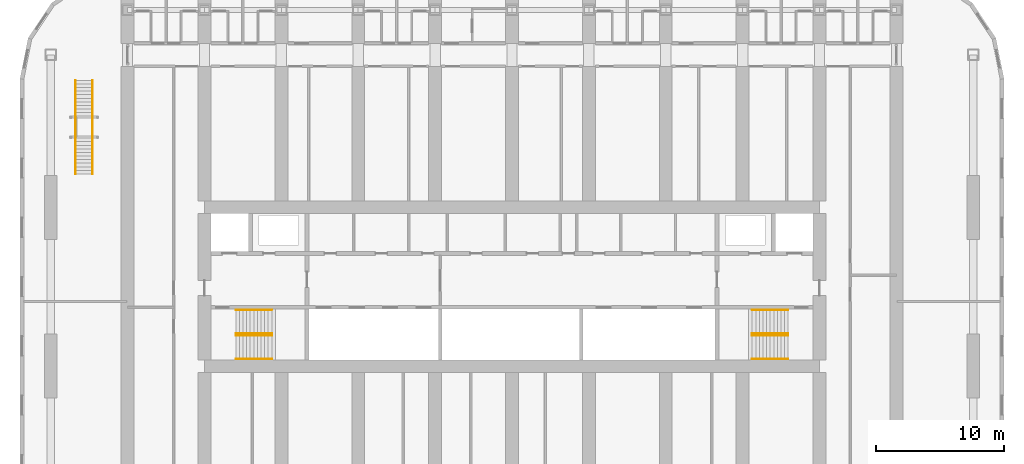
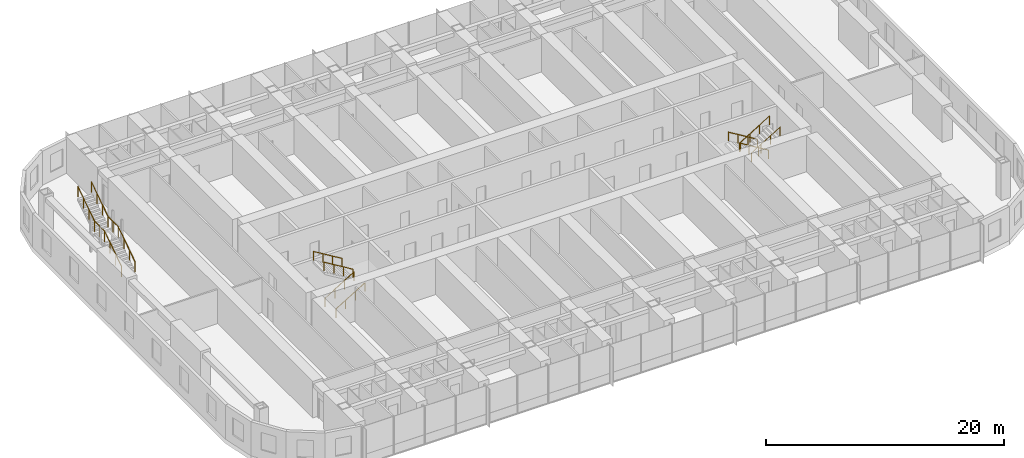
# One storey, part 28 of 28: 10 railings.
"""IFC4 building model written with IfcOpenShell, lengths in metres."""

from ifc_helpers import new_model, si_unit, direction, frame, origin, origin_2d, place, context, subcontext, project, spatial, circle, extrude, material, type_object, element, save


model = new_model("IFC4")

# Units and contexts
model_context = context("Model", 3, precision=1e-05, world=origin(), true_north=direction((0.0, 1.0)))
body_context = subcontext(model_context, "Body", "Model", "MODEL_VIEW")
ifc_project = project(units=[si_unit("LENGTHUNIT", "METRE"), si_unit("AREAUNIT", "SQUARE_METRE"), si_unit("VOLUMEUNIT", "CUBIC_METRE"), si_unit("PLANEANGLEUNIT", "RADIAN"), si_unit("MASSUNIT", "GRAM", prefix="KILO")], contexts=[model_context])

# Site, building, storey
site_placement = place(None, origin())
site = spatial("IfcSite", under=ifc_project, at=site_placement, CompositionType="ELEMENT")
building_placement = place(site_placement, origin())
building = spatial("IfcBuilding", under=site, at=building_placement, Name="Orbita Commons", CompositionType="ELEMENT")
storey_placement = place(building_placement, frame((0.0, 0.0, 23.949951171875)))
storey = spatial("IfcBuildingStorey", under=building, at=storey_placement, Name="L05", CompositionType="ELEMENT", Elevation=23.949951171875)

# Railings
ifc_material_1 = material(Name="Laminated glass, steel handrail", Category="steel")
railing_type_1 = type_object("IfcRailingType", Name="Feature stair balustrade, glass on steel stringer 1100", PredefinedType="BALUSTRADE", material=ifc_material_1)
for number, where, name in (
    (1, (7.93994140625, 40.800048828125, 0.0), "Neighbourhood stair L05 to L06 balustrade L"),
    (2, (9.260009765625, 40.800048828125, 0.0), "Neighbourhood stair L05 to L06 balustrade R"),
):
    element("IfcRailing", number, at=place(storey_placement, frame(where)), inside=storey, type_object=railing_type_1, Name=name, PredefinedType="BALUSTRADE", context=body_context, shape_type="SweptSolid", body=[
        extrude(circle(Radius=0.02490234375, at=origin_2d()), frame((0.0, 0.0, 1.0751953125), z_axis=(0.0, 0.830911662861, 0.55640435703), x_axis=(-1.0, 0.0, 0.0)), (0.0, 0.0, 1.0), 3.369873046875),
        extrude(circle(Radius=0.02490234375, at=origin_2d()), frame((0.0, 2.800048828125, 2.9501953125), z_axis=(0.0, 1.0, 0.0), x_axis=(-1.0, 0.0, 0.0)), (0.0, 0.0, 1.0), 1.7099609375),
        extrude(circle(Radius=0.02490234375, at=origin_2d()), frame((0.0, 4.510009765625, 2.9501953125), z_axis=(0.0, 0.830911662861, 0.55640435703), x_axis=(-1.0, 0.0, 0.0)), (0.0, 0.0, 1.0), 3.369873046875),
        extrude(circle(Radius=0.02001953125, at=origin_2d()), origin(), (0.0, 0.0, 1.0), 1.050048828125),
        extrude(circle(Radius=0.02001953125, at=origin_2d()), frame((0.0, 0.933349609375, 0.625)), (0.0, 0.0, 1.0), 1.050048828125),
        extrude(circle(Radius=0.02001953125, at=origin_2d()), frame((0.0, 1.86669921875, 1.25)), (0.0, 0.0, 1.0), 1.050048828125),
        extrude(circle(Radius=0.02001953125, at=origin_2d()), frame((0.0, 2.800048828125, 1.875)), (0.0, 0.0, 1.0), 1.050048828125),
        extrude(circle(Radius=0.02001953125, at=origin_2d()), frame((0.0, 3.655029296875, 1.875)), (0.0, 0.0, 1.0), 1.050048828125),
        extrude(circle(Radius=0.02001953125, at=origin_2d()), frame((0.0, 4.510009765625, 1.875)), (0.0, 0.0, 1.0), 1.050048828125),
        extrude(circle(Radius=0.02001953125, at=origin_2d()), frame((0.0, 5.443359375, 2.5)), (0.0, 0.0, 1.0), 1.050048828125),
        extrude(circle(Radius=0.02001953125, at=origin_2d()), frame((0.0, 6.376708984375, 3.125)), (0.0, 0.0, 1.0), 1.050048828125),
        extrude(circle(Radius=0.02001953125, at=origin_2d()), frame((0.0, 7.31005859375, 3.75)), (0.0, 0.0, 1.0), 1.050048828125),
    ])
ifc_material_2 = material(Name="Steel tube, painted", Category="steel")
railing_type_2 = type_object("IfcRailingType", Name="Stair handrail steel tube 900", PredefinedType="HANDRAIL", material=ifc_material_2)
for number, where, name in (
    (3, (20.449951171875, 28.18994140625, 0.17041015625), "Stair S1 handrail L05 flight 1"),
    (4, (20.449951171875, 26.360107421875, 0.17041015625), "Stair S1 handrail L05 flight 1"),
):
    element("IfcRailing", number, at=place(storey_placement, frame(where)), inside=storey, type_object=railing_type_2, Name=name, PredefinedType="HANDRAIL", context=body_context, shape_type="SweptSolid", body=[
        extrude(circle(Radius=0.02099609375, at=origin_2d()), frame((0.0, 0.0, 0.87890625), z_axis=(0.854169791009, 0.0, 0.51999420009), x_axis=(0.0, 1.0, 0.0)), (0.0, 0.0, 1.0), 3.278076171875),
        extrude(circle(Radius=0.02001953125, at=origin_2d()), origin(), (0.0, 0.0, 1.0), 0.85791015625),
        extrude(circle(Radius=0.02001953125, at=origin_2d()), frame((0.933349609375, 0.0, 0.568115234375)), (0.0, 0.0, 1.0), 0.85791015625),
        extrude(circle(Radius=0.02001953125, at=origin_2d()), frame((1.86669921875, 0.0, 1.136474609375)), (0.0, 0.0, 1.0), 0.85791015625),
        extrude(circle(Radius=0.02001953125, at=origin_2d()), frame((2.800048828125, 0.0, 1.70458984375)), (0.0, 0.0, 1.0), 0.85791015625),
    ])
for number, where, name in (
    (5, (23.25, 28.360107421875, 2.04541015625), "Stair S1 handrail L05 flight 2"),
    (6, (23.25, 30.18994140625, 2.04541015625), "Stair S1 handrail L05 flight 2"),
    (7, (63.550048828125, 28.360107421875, 0.17041015625), "Stair S2 handrail L05 flight 1"),
    (8, (63.550048828125, 30.18994140625, 0.17041015625), "Stair S2 handrail L05 flight 1"),
):
    element("IfcRailing", number, at=place(storey_placement, frame(where)), inside=storey, type_object=railing_type_2, Name=name, PredefinedType="HANDRAIL", context=body_context, shape_type="SweptSolid", body=[
        extrude(circle(Radius=0.02099609375, at=origin_2d()), frame((0.0, 0.0, 0.87890625), z_axis=(-0.854169791009, 0.0, 0.51999420009), x_axis=(0.0, -1.0, 0.0)), (0.0, 0.0, 1.0), 3.278076171875),
        extrude(circle(Radius=0.02001953125, at=origin_2d()), origin(), (0.0, 0.0, 1.0), 0.85791015625),
        extrude(circle(Radius=0.02001953125, at=origin_2d()), frame((-0.933349609375, 0.0, 0.568115234375)), (0.0, 0.0, 1.0), 0.85791015625),
        extrude(circle(Radius=0.02001953125, at=origin_2d()), frame((-1.86669921875, 0.0, 1.136474609375)), (0.0, 0.0, 1.0), 0.85791015625),
        extrude(circle(Radius=0.02001953125, at=origin_2d()), frame((-2.800048828125, 0.0, 1.70458984375)), (0.0, 0.0, 1.0), 0.85791015625),
    ])
for number, where, name in (
    (9, (60.75, 28.18994140625, 2.04541015625), "Stair S2 handrail L05 flight 2"),
    (10, (60.75, 26.360107421875, 2.04541015625), "Stair S2 handrail L05 flight 2"),
):
    element("IfcRailing", number, at=place(storey_placement, frame(where)), inside=storey, type_object=railing_type_2, Name=name, PredefinedType="HANDRAIL", context=body_context, shape_type="SweptSolid", body=[
        extrude(circle(Radius=0.02099609375, at=origin_2d()), frame((0.0, 0.0, 0.87890625), z_axis=(0.854169791009, 0.0, 0.51999420009), x_axis=(0.0, 1.0, 0.0)), (0.0, 0.0, 1.0), 3.278076171875),
        extrude(circle(Radius=0.02001953125, at=origin_2d()), origin(), (0.0, 0.0, 1.0), 0.85791015625),
        extrude(circle(Radius=0.02001953125, at=origin_2d()), frame((0.933349609375, 0.0, 0.568115234375)), (0.0, 0.0, 1.0), 0.85791015625),
        extrude(circle(Radius=0.02001953125, at=origin_2d()), frame((1.86669921875, 0.0, 1.136474609375)), (0.0, 0.0, 1.0), 0.85791015625),
        extrude(circle(Radius=0.02001953125, at=origin_2d()), frame((2.800048828125, 0.0, 1.70458984375)), (0.0, 0.0, 1.0), 0.85791015625),
    ])

save(model, "model.ifc")
